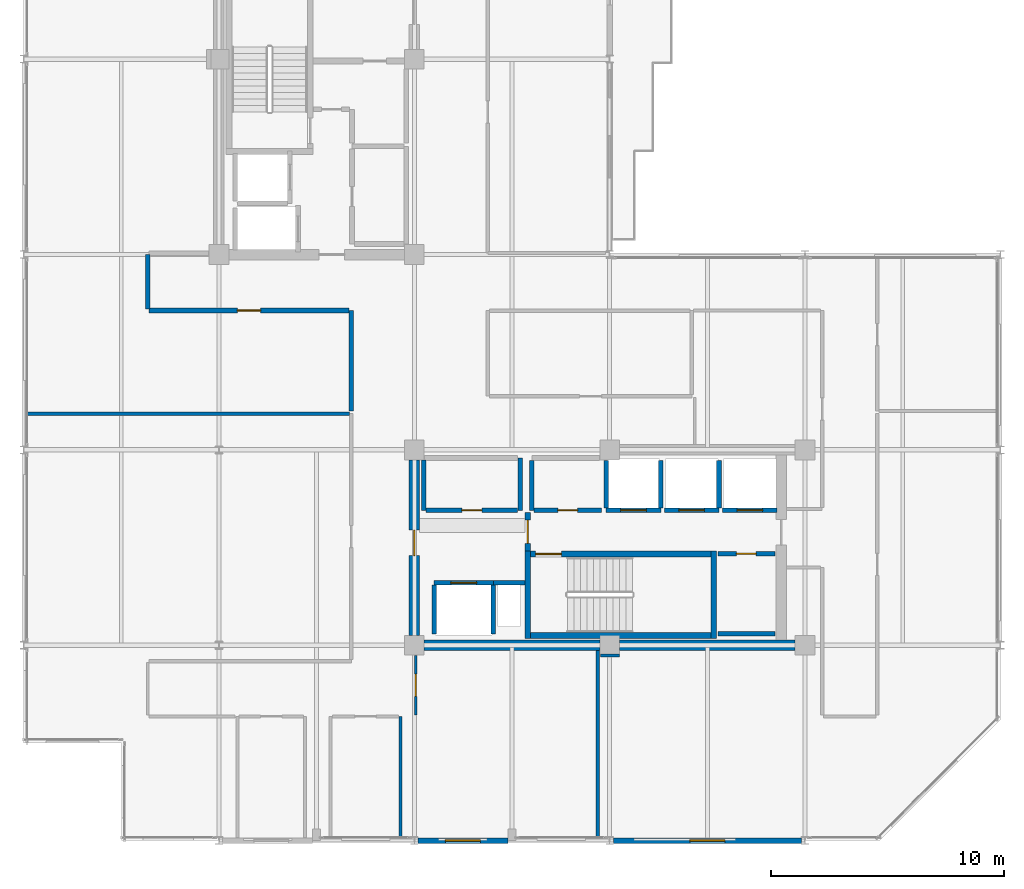
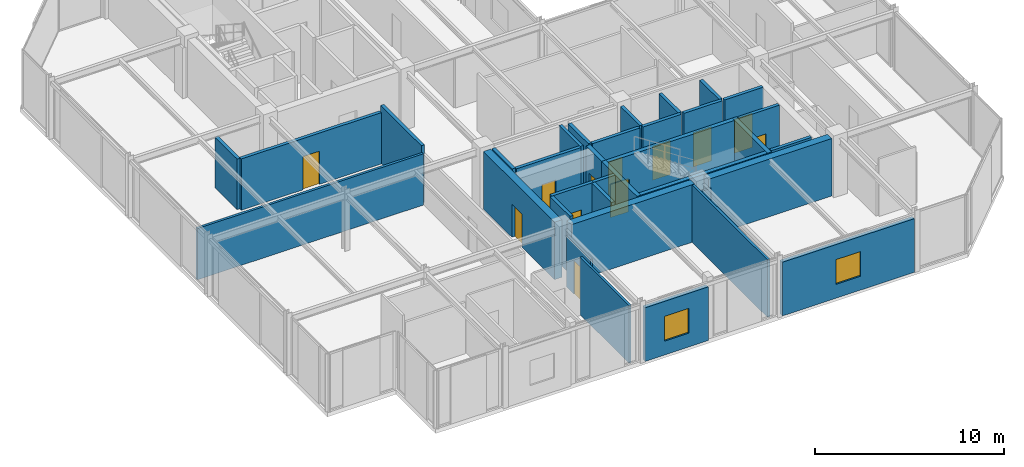
# One storey, part 21 of 26: 35 walls, 12 doors, 2 windows, 14 openings.
"""IFC4 building model written with IfcOpenShell, lengths in metres."""

from ifc_helpers import new_model, si_unit, direction, frame, frame_2d, origin, place, context, subcontext, project, spatial, rectangle, extrude, material, layer, layer_set, type_object, element, fill, save


model = new_model("IFC4")

# Units and contexts
model_context = context("Model", 3, precision=1e-05, world=origin(), true_north=direction((0.0, 1.0)))
body_context = subcontext(model_context, "Body", "Model", "MODEL_VIEW")
ifc_project = project(units=[si_unit("LENGTHUNIT", "METRE"), si_unit("AREAUNIT", "SQUARE_METRE"), si_unit("VOLUMEUNIT", "CUBIC_METRE"), si_unit("PLANEANGLEUNIT", "RADIAN"), si_unit("MASSUNIT", "GRAM", prefix="KILO")], contexts=[model_context])

# Site, building, storey
site_placement = place(None, origin())
site = spatial("IfcSite", under=ifc_project, at=site_placement, CompositionType="ELEMENT")
building_placement = place(site_placement, origin())
building = spatial("IfcBuilding", under=site, at=building_placement, Name="Nerrivon Quay Data Exchange", CompositionType="ELEMENT")
storey_placement = place(building_placement, frame((0.0, 0.0, 250.199951171875)))
storey = spatial("IfcBuildingStorey", under=building, at=storey_placement, Name="L59", CompositionType="ELEMENT", Elevation=250.199951171875)

# Wall, opening, window
ifc_material_1 = material(Name="Architectural terracotta precast concrete N50 (50 MPa)", Category="masonry")
ifc_layer_1 = layer(ifc_material_1, 0.239990234375)
ifc_layer_set_1 = layer_set([ifc_layer_1], Name="Architectural terracotta precast concrete N50 (50 MPa)")
wall_type_1 = type_object("IfcWallType", Name="EW-PREC-240", PredefinedType="STANDARD", material=ifc_layer_set_1)
wall_1_placement = place(storey_placement, frame((33.444580078125, 0.0, 0.0), z_axis=(0.0, 0.0, 1.0), x_axis=(-1.0, 0.0, 0.0)))
wall_1 = element("IfcWall", 1, at=wall_1_placement, inside=storey, type_object=wall_type_1, Name="L59 Podium Precast Spandrel Wall 3", PredefinedType="STANDARD", context=body_context, shape_type="SweptSolid", body=[
    extrude(rectangle(XDim=8.089111328125, YDim=0.239990234375, at=frame_2d((4.04443359375, 0.0))), origin(), (0.0, 0.0, 1.0), 3.47509765625),
])
opening_1_placement = place(wall_1_placement, frame((3.29443359375, 0.0, 0.89990234375)))
opening_1 = element("IfcOpeningElement", 2, at=opening_1_placement, cuts=wall_1, Name="Opening WN4", PredefinedType="OPENING", context=body_context, shape_type="SweptSolid", body=[
    extrude(rectangle(XDim=1.5, YDim=1.60009765625, at=frame_2d((0.75, 0.800048828125))), frame((0.0, 0.1298828125, 0.0), z_axis=(0.0, -1.0, 0.0), x_axis=(1.0, 0.0, 0.0)), (0.0, 0.0, 1.0), 0.260009765625),
])
ifc_material_2 = material(Name="Double-glazed low-E solar control glass", Category="glass")
window_type = type_object("IfcWindowType", Name="WIN-W4-1500x1600", PartitioningType="SINGLE_PANEL", PredefinedType="WINDOW", material=ifc_material_2)
window_1_placement = place(opening_1_placement, origin())
window_1 = element("IfcWindow", 3, at=window_1_placement, inside=storey, type_object=window_type, Name="L59 Solar Facade Window 3", OverallHeight=1.60009765625, OverallWidth=1.5, PartitioningType="SINGLE_PANEL", PredefinedType="WINDOW", context=body_context, shape_type="SweptSolid", body=[
    extrude(rectangle(XDim=1.5, YDim=1.60009765625, at=frame_2d((0.75, 0.800048828125))), frame((0.0, 0.030029296875, 0.0), z_axis=(0.0, -1.0, 0.0), x_axis=(1.0, 0.0, 0.0)), (0.0, 0.0, 1.0), 0.06005859375),
])
fill(opening_1, window_1)

wall_2_placement = place(storey_placement, frame((20.824951171875, 0.0, 0.0), z_axis=(0.0, 0.0, 1.0), x_axis=(-1.0, 0.0, 0.0)))
wall_2 = element("IfcWall", 4, at=wall_2_placement, inside=storey, type_object=wall_type_1, Name="L59 Podium Precast Spandrel Wall 5", PredefinedType="STANDARD", context=body_context, shape_type="SweptSolid", body=[
    extrude(rectangle(XDim=3.869384765625, YDim=0.239990234375, at=frame_2d((1.9345703125, 0.0))), origin(), (0.0, 0.0, 1.0), 3.47509765625),
])
opening_2_placement = place(wall_2_placement, frame((1.184814453125, 0.0, 0.89990234375)))
opening_2 = element("IfcOpeningElement", 5, at=opening_2_placement, cuts=wall_2, Name="Opening WN4", PredefinedType="OPENING", context=body_context, shape_type="SweptSolid", body=[
    extrude(rectangle(XDim=1.5, YDim=1.60009765625, at=frame_2d((0.75, 0.800048828125))), frame((0.0, 0.1298828125, 0.0), z_axis=(0.0, -1.0, 0.0), x_axis=(1.0, 0.0, 0.0)), (0.0, 0.0, 1.0), 0.260009765625),
])
window_2_placement = place(opening_2_placement, origin())
window_2 = element("IfcWindow", 6, at=window_2_placement, inside=storey, type_object=window_type, Name="L59 Solar Facade Window 5", OverallHeight=1.60009765625, OverallWidth=1.5, PartitioningType="SINGLE_PANEL", PredefinedType="WINDOW", context=body_context, shape_type="SweptSolid", body=[
    extrude(rectangle(XDim=1.5, YDim=1.60009765625, at=frame_2d((0.75, 0.800048828125))), frame((0.0, 0.030029296875, 0.0), z_axis=(0.0, -1.0, 0.0), x_axis=(1.0, 0.0, 0.0)), (0.0, 0.0, 1.0), 0.06005859375),
])
fill(opening_2, window_2)

# Walls
ifc_material_3 = material(Name="Concrete N50 (50 MPa)", Category="concrete")
ifc_layer_2 = layer(ifc_material_3, 0.449951171875)
ifc_layer_set_2 = layer_set([ifc_layer_2], Name="Concrete N50 (50 MPa)")
wall_type_2 = type_object("IfcWallType", Name="WALL-CW-550", PredefinedType="SHEAR", material=ifc_layer_set_2)
wall_3_placement = place(storey_placement, frame((17.22509765625, 8.39990234375, 0.0), z_axis=(0.0, 0.0, 1.0), x_axis=(1.0, 0.0, 0.0)))
element("IfcWall", 7, at=wall_3_placement, inside=storey, type_object=wall_type_2, Name="L59 East Split-Core Shear Wall ECW-S1", PredefinedType="SHEAR", context=body_context, shape_type="SweptSolid", body=[
    extrude(rectangle(XDim=7.5498046875, YDim=0.449951171875, at=frame_2d((3.77490234375, 0.0))), origin(), (0.0, 0.0, 1.0), 3.72509765625),
])
wall_4_placement = place(storey_placement, frame((25.625, 8.39990234375, 0.0), z_axis=(0.0, 0.0, 1.0), x_axis=(1.0, 0.0, 0.0)))
element("IfcWall", 8, at=wall_4_placement, inside=storey, type_object=wall_type_2, Name="L59 East Split-Core Shear Wall ECW-S2", PredefinedType="SHEAR", context=body_context, shape_type="SweptSolid", body=[
    extrude(rectangle(XDim=7.550048828125, YDim=0.449951171875, at=frame_2d((3.77490234375, 0.0))), origin(), (0.0, 0.0, 1.0), 3.72509765625),
])

# Wall, opening, door
wall_5_placement = place(storey_placement, frame((16.800048828125, 8.824951171875, 0.0), z_axis=(0.0, 0.0, 1.0), x_axis=(0.0, 1.0, 0.0)))
wall_5 = element("IfcWall", 9, at=wall_5_placement, inside=storey, type_object=wall_type_2, Name="L59 East Split-Core Shear Wall ECW-W1", PredefinedType="SHEAR", context=body_context, shape_type="SweptSolid", body=[
    extrude(rectangle(XDim=7.550048828125, YDim=0.449951171875, at=frame_2d((3.77490234375, 0.0))), origin(), (0.0, 0.0, 1.0), 3.72509765625),
])
opening_3_placement = place(wall_5_placement, frame((3.425048828125, 0.0, 0.0)))
opening_3 = element("IfcOpeningElement", 10, at=opening_3_placement, cuts=wall_5, Name="Opening FD-120", PredefinedType="OPENING", context=body_context, shape_type="SweptSolid", body=[
    extrude(rectangle(XDim=1.10009765625, YDim=2.14990234375, at=frame_2d((0.550048828125, 1.074951171875))), frame((0.0, 0.23486328125, 0.0), z_axis=(0.0, -1.0, 0.0), x_axis=(1.0, 0.0, 0.0)), (0.0, 0.0, 1.0), 0.469970703125),
])
ifc_material_4 = material(Name="Powder-coated galvanized steel sheet", Category="steel")
door_type_1 = type_object("IfcDoorType", Name="DR-FD120-1100", OperationType="NOTDEFINED", PredefinedType="DOOR", material=ifc_material_4)
door_1_placement = place(opening_3_placement, origin())
door_1 = element("IfcDoor", 11, at=door_1_placement, inside=storey, type_object=door_type_1, Name="L59 East Core Lobby Fire Door", OperationType="SINGLE_SWING_LEFT", OverallHeight=2.14990234375, OverallWidth=1.10009765625, PredefinedType="DOOR", context=body_context, shape_type="SweptSolid", body=[
    extrude(rectangle(XDim=1.10009765625, YDim=2.14990234375, at=frame_2d((0.550048828125, 1.074951171875))), frame((0.0, 0.02490234375, 0.0), z_axis=(0.0, -1.0, 0.0), x_axis=(1.0, 0.0, 0.0)), (0.0, 0.0, 1.0), 0.050048828125),
])
fill(opening_3, door_1)

# Wall
ifc_material_5 = material(Name="Gypsum plasterboard on cold-formed framing", Category="gypsum")
ifc_layer_3 = layer(ifc_material_5, 0.199951171875)
ifc_layer_set_3 = layer_set([ifc_layer_3], Name="Gypsum plasterboard on cold-formed framing")
wall_type_3 = type_object("IfcWallType", Name="WALL-FW-200", PredefinedType="PARTITIONING", material=ifc_layer_set_3)
wall_6_placement = place(storey_placement, frame((20.199951171875, 11.080078125, 0.0), z_axis=(0.0, 0.0, 1.0), x_axis=(1.0, 0.0, 0.0)))
element("IfcWall", 12, at=wall_6_placement, inside=storey, type_object=wall_type_3, Name="L59 East Core MEP Riser Shaft Wall N", PredefinedType="PARTITIONING", context=body_context, shape_type="SweptSolid", body=[
    extrude(rectangle(XDim=1.35009765625, YDim=0.199951171875, at=frame_2d((0.675048828125, 0.0))), origin(), (0.0, 0.0, 1.0), 3.72509765625),
])

# Wall, opening, door
wall_7_placement = place(storey_placement, frame((17.64990234375, 11.080078125, 0.0), z_axis=(0.0, 0.0, 1.0), x_axis=(1.0, 0.0, 0.0)))
wall_7 = element("IfcWall", 13, at=wall_7_placement, inside=storey, type_object=wall_type_3, Name="L59 Lift Front Wall FFL-2", PredefinedType="PARTITIONING", context=body_context, shape_type="SweptSolid", body=[
    extrude(rectangle(XDim=2.550048828125, YDim=0.199951171875, at=frame_2d((1.27490234375, 0.0))), origin(), (0.0, 0.0, 1.0), 3.72509765625),
])
opening_4_placement = place(wall_7_placement, frame((0.72509765625, 0.0, 0.0)))
opening_4 = element("IfcOpeningElement", 14, at=opening_4_placement, cuts=wall_7, Name="Opening LD-120", PredefinedType="OPENING", context=body_context, shape_type="SweptSolid", body=[
    extrude(rectangle(XDim=1.10009765625, YDim=2.199951171875, at=frame_2d((0.550048828125, 1.10009765625))), frame((0.0, 0.10986328125, 0.0), z_axis=(0.0, -1.0, 0.0), x_axis=(1.0, 0.0, 0.0)), (0.0, 0.0, 1.0), 0.219970703125),
])
door_type_2 = type_object("IfcDoorType", Name="DR-LIFT-LD120", OperationType="DOUBLE_DOOR_SLIDING", PredefinedType="DOOR", material=ifc_material_4)
door_2_placement = place(opening_4_placement, origin())
door_2 = element("IfcDoor", 15, at=door_2_placement, inside=storey, type_object=door_type_2, Name="L59 Lift Landing Sliding Door FFL-2", OperationType="DOUBLE_DOOR_SLIDING", OverallHeight=2.199951171875, OverallWidth=1.10009765625, PredefinedType="DOOR", context=body_context, shape_type="SweptSolid", body=[
    extrude(rectangle(XDim=1.10009765625, YDim=2.199951171875, at=frame_2d((0.550048828125, 1.10009765625))), frame((0.0, 0.02490234375, 0.0), z_axis=(0.0, -1.0, 0.0), x_axis=(1.0, 0.0, 0.0)), (0.0, 0.0, 1.0), 0.050048828125),
])
fill(opening_4, door_2)

# Walls
for number, where, z_axis, x_axis, name in (
    (16, (20.199951171875, 8.8798828125, 0.0), (0.0, 0.0, 1.0), (0.0, 1.0, 0.0), "L59 Lift Shaft Wall FFL-2 EAST"),
    (17, (17.64990234375, 8.8798828125, 0.0), (0.0, 0.0, 1.0), (0.0, 1.0, 0.0), "L59 Lift Shaft Wall FFL-2 WEST"),
):
    element("IfcWall", number, at=place(storey_placement, frame(where, z_axis=z_axis, x_axis=x_axis)), inside=storey, type_object=wall_type_3, Name=name, PredefinedType="PARTITIONING", context=body_context, shape_type="SweptSolid", body=[
        extrude(rectangle(XDim=2.10009765625, YDim=0.199951171875, at=frame_2d((1.050048828125, 0.0))), origin(), (0.0, 0.0, 1.0), 3.72509765625),
    ])

# Wall, opening, door
wall_8_placement = place(storey_placement, frame((25.050048828125, 14.199951171875, 0.0), z_axis=(0.0, 0.0, 1.0), x_axis=(1.0, 0.0, 0.0)))
wall_8 = element("IfcWall", 18, at=wall_8_placement, inside=storey, type_object=wall_type_3, Name="L59 Lift Front Wall PL7", PredefinedType="PARTITIONING", context=body_context, shape_type="SweptSolid", body=[
    extrude(rectangle(XDim=2.349853515625, YDim=0.199951171875, at=frame_2d((1.1748046875, 0.0))), origin(), (0.0, 0.0, 1.0), 3.72509765625),
])
opening_5_placement = place(wall_8_placement, frame((0.625, 0.0, 0.0)))
opening_5 = element("IfcOpeningElement", 19, at=opening_5_placement, cuts=wall_8, Name="Opening LD-120", PredefinedType="OPENING", context=body_context, shape_type="SweptSolid", body=[
    extrude(rectangle(XDim=1.10009765625, YDim=2.199951171875, at=frame_2d((0.550048828125, 1.10009765625))), frame((0.0, 0.10986328125, 0.0), z_axis=(0.0, -1.0, 0.0), x_axis=(1.0, 0.0, 0.0)), (0.0, 0.0, 1.0), 0.219970703125),
])
door_3_placement = place(opening_5_placement, origin())
door_3 = element("IfcDoor", 20, at=door_3_placement, inside=storey, type_object=door_type_2, Name="L59 Lift Landing Sliding Door PL7", OperationType="DOUBLE_DOOR_SLIDING", OverallHeight=2.199951171875, OverallWidth=1.10009765625, PredefinedType="DOOR", context=body_context, shape_type="SweptSolid", body=[
    extrude(rectangle(XDim=1.10009765625, YDim=2.199951171875, at=frame_2d((0.550048828125, 1.10009765625))), frame((0.0, 0.02490234375, 0.0), z_axis=(0.0, -1.0, 0.0), x_axis=(1.0, 0.0, 0.0)), (0.0, 0.0, 1.0), 0.050048828125),
])
fill(opening_5, door_3)

# Walls
for number, where, z_axis, x_axis, name in (
    (21, (27.39990234375, 14.300048828125, 0.0), (0.0, 0.0, 1.0), (0.0, 1.0, 0.0), "L59 Lift Shaft Wall PL7 EAST"),
    (22, (25.050048828125, 14.300048828125, 0.0), (0.0, 0.0, 1.0), (0.0, 1.0, 0.0), "L59 Lift Shaft Wall PL7 WEST"),
):
    element("IfcWall", number, at=place(storey_placement, frame(where, z_axis=z_axis, x_axis=x_axis)), inside=storey, type_object=wall_type_3, Name=name, PredefinedType="PARTITIONING", context=body_context, shape_type="SweptSolid", body=[
        extrude(rectangle(XDim=2.050048828125, YDim=0.199951171875, at=frame_2d((1.02490234375, 0.0))), origin(), (0.0, 0.0, 1.0), 3.72509765625),
    ])

# Wall, opening, door
wall_9_placement = place(storey_placement, frame((27.550048828125, 14.199951171875, 0.0), z_axis=(0.0, 0.0, 1.0), x_axis=(1.0, 0.0, 0.0)))
wall_9 = element("IfcWall", 23, at=wall_9_placement, inside=storey, type_object=wall_type_3, Name="L59 Lift Front Wall PL8", PredefinedType="PARTITIONING", context=body_context, shape_type="SweptSolid", body=[
    extrude(rectangle(XDim=2.349853515625, YDim=0.199951171875, at=frame_2d((1.1748046875, 0.0))), origin(), (0.0, 0.0, 1.0), 3.72509765625),
])
opening_6_placement = place(wall_9_placement, frame((0.625, 0.0, 0.0)))
opening_6 = element("IfcOpeningElement", 24, at=opening_6_placement, cuts=wall_9, Name="Opening LD-120", PredefinedType="OPENING", context=body_context, shape_type="SweptSolid", body=[
    extrude(rectangle(XDim=1.10009765625, YDim=2.199951171875, at=frame_2d((0.550048828125, 1.10009765625))), frame((0.0, 0.10986328125, 0.0), z_axis=(0.0, -1.0, 0.0), x_axis=(1.0, 0.0, 0.0)), (0.0, 0.0, 1.0), 0.219970703125),
])
door_4_placement = place(opening_6_placement, origin())
door_4 = element("IfcDoor", 25, at=door_4_placement, inside=storey, type_object=door_type_2, Name="L59 Lift Landing Sliding Door PL8", OperationType="DOUBLE_DOOR_SLIDING", OverallHeight=2.199951171875, OverallWidth=1.10009765625, PredefinedType="DOOR", context=body_context, shape_type="SweptSolid", body=[
    extrude(rectangle(XDim=1.10009765625, YDim=2.199951171875, at=frame_2d((0.550048828125, 1.10009765625))), frame((0.0, 0.02490234375, 0.0), z_axis=(0.0, -1.0, 0.0), x_axis=(1.0, 0.0, 0.0)), (0.0, 0.0, 1.0), 0.050048828125),
])
fill(opening_6, door_4)

# Wall
wall_10_placement = place(storey_placement, frame((29.89990234375, 14.300048828125, 0.0), z_axis=(0.0, 0.0, 1.0), x_axis=(0.0, 1.0, 0.0)))
element("IfcWall", 26, at=wall_10_placement, inside=storey, type_object=wall_type_3, Name="L59 Lift Shaft Wall PL8 EAST", PredefinedType="PARTITIONING", context=body_context, shape_type="SweptSolid", body=[
    extrude(rectangle(XDim=2.050048828125, YDim=0.199951171875, at=frame_2d((1.02490234375, 0.0))), origin(), (0.0, 0.0, 1.0), 3.72509765625),
])

# Wall, opening, door
wall_11_placement = place(storey_placement, frame((30.050048828125, 14.199951171875, 0.0), z_axis=(0.0, 0.0, 1.0), x_axis=(1.0, 0.0, 0.0)))
wall_11 = element("IfcWall", 27, at=wall_11_placement, inside=storey, type_object=wall_type_3, Name="L59 Lift Front Wall PL9", PredefinedType="PARTITIONING", context=body_context, shape_type="SweptSolid", body=[
    extrude(rectangle(XDim=2.349853515625, YDim=0.199951171875, at=frame_2d((1.1748046875, 0.0))), origin(), (0.0, 0.0, 1.0), 3.72509765625),
])
opening_7_placement = place(wall_11_placement, frame((0.625, 0.0, 0.0)))
opening_7 = element("IfcOpeningElement", 28, at=opening_7_placement, cuts=wall_11, Name="Opening LD-120", PredefinedType="OPENING", context=body_context, shape_type="SweptSolid", body=[
    extrude(rectangle(XDim=1.10009765625, YDim=2.199951171875, at=frame_2d((0.550048828125, 1.10009765625))), frame((0.0, 0.10986328125, 0.0), z_axis=(0.0, -1.0, 0.0), x_axis=(1.0, 0.0, 0.0)), (0.0, 0.0, 1.0), 0.219970703125),
])
door_5_placement = place(opening_7_placement, origin())
door_5 = element("IfcDoor", 29, at=door_5_placement, inside=storey, type_object=door_type_2, Name="L59 Lift Landing Sliding Door PL9", OperationType="DOUBLE_DOOR_SLIDING", OverallHeight=2.199951171875, OverallWidth=1.10009765625, PredefinedType="DOOR", context=body_context, shape_type="SweptSolid", body=[
    extrude(rectangle(XDim=1.10009765625, YDim=2.199951171875, at=frame_2d((0.550048828125, 1.10009765625))), frame((0.0, 0.02490234375, 0.0), z_axis=(0.0, -1.0, 0.0), x_axis=(1.0, 0.0, 0.0)), (0.0, 0.0, 1.0), 0.050048828125),
])
fill(opening_7, door_5)

# Walls
wall_12_placement = place(storey_placement, frame((21.35009765625, 14.199951171875, 0.0), z_axis=(0.0, 0.0, 1.0), x_axis=(0.0, 1.0, 0.0)))
element("IfcWall", 30, at=wall_12_placement, inside=storey, type_object=wall_type_3, Name="L59 Partition High-Zone Optical Closet", PredefinedType="PARTITIONING", context=body_context, shape_type="SweptSolid", body=[
    extrude(rectangle(XDim=2.25, YDim=0.199951171875, at=frame_2d((1.125, 0.0))), origin(), (0.0, 0.0, 1.0), 3.72509765625),
])
wall_13_placement = place(storey_placement, frame((17.199951171875, 16.3701171875, 0.0), z_axis=(0.0, 0.0, 1.0), x_axis=(0.0, -1.0, 0.0)))
element("IfcWall", 31, at=wall_13_placement, inside=storey, type_object=wall_type_3, Name="L59 Partition High-Zone Optical Closet", PredefinedType="PARTITIONING", context=body_context, shape_type="SweptSolid", body=[
    extrude(rectangle(XDim=2.170166015625, YDim=0.199951171875, at=frame_2d((1.0849609375, 0.0))), origin(), (0.0, 0.0, 1.0), 3.72509765625),
])

# Wall, opening, door
wall_14_placement = place(storey_placement, frame((17.303955078125, 14.199951171875, 0.0), z_axis=(0.0, 0.0, 1.0), x_axis=(1.0, 0.0, 0.0)))
wall_14 = element("IfcWall", 32, at=wall_14_placement, inside=storey, type_object=wall_type_3, Name="L59 Partition High-Zone Optical Closet", PredefinedType="PARTITIONING", context=body_context, shape_type="SweptSolid", body=[
    extrude(rectangle(XDim=3.942138671875, YDim=0.199951171875, at=frame_2d((1.97119140625, 0.0))), origin(), (0.0, 0.0, 1.0), 3.72509765625),
])
opening_8_placement = place(wall_14_placement, frame((1.5458984375, 0.0, 0.0)))
opening_8 = element("IfcOpeningElement", 33, at=opening_8_placement, cuts=wall_14, Name="Opening FD-60S", PredefinedType="OPENING", context=body_context, shape_type="SweptSolid", body=[
    extrude(rectangle(XDim=0.85009765625, YDim=2.14990234375, at=frame_2d((0.425048828125, 1.074951171875))), frame((0.0, 0.10986328125, 0.0), z_axis=(0.0, -1.0, 0.0), x_axis=(1.0, 0.0, 0.0)), (0.0, 0.0, 1.0), 0.219970703125),
])
ifc_material_6 = material(Name="Engineered hardwood timber", Category="wood")
door_type_3 = type_object("IfcDoorType", Name="DR-FD60-850", OperationType="NOTDEFINED", PredefinedType="DOOR", material=ifc_material_6)
door_6_placement = place(opening_8_placement, origin())
door_6 = element("IfcDoor", 34, at=door_6_placement, inside=storey, type_object=door_type_3, Name="L59 Door High-Zone Optical Closet", OperationType="SINGLE_SWING_RIGHT", OverallHeight=2.14990234375, OverallWidth=0.85009765625, PredefinedType="DOOR", context=body_context, shape_type="SweptSolid", body=[
    extrude(rectangle(XDim=0.85009765625, YDim=2.14990234375, at=frame_2d((0.425048828125, 1.074951171875))), frame((0.0, 0.02490234375, 0.0), z_axis=(0.0, -1.0, 0.0), x_axis=(1.0, 0.0, 0.0)), (0.0, 0.0, 1.0), 0.050048828125),
])
fill(opening_8, door_6)

# Wall
wall_15_placement = place(storey_placement, frame((21.85009765625, 16.345947265625, 0.0), z_axis=(0.0, 0.0, 1.0), x_axis=(0.0, -1.0, 0.0)))
element("IfcWall", 35, at=wall_15_placement, inside=storey, type_object=wall_type_3, Name="L59 Partition High-Zone Supply Store", PredefinedType="PARTITIONING", context=body_context, shape_type="SweptSolid", body=[
    extrude(rectangle(XDim=2.14599609375, YDim=0.199951171875, at=frame_2d((1.072998046875, 0.0))), origin(), (0.0, 0.0, 1.0), 3.72509765625),
])

# Wall, opening, door
wall_16_placement = place(storey_placement, frame((21.9541015625, 14.199951171875, 0.0), z_axis=(0.0, 0.0, 1.0), x_axis=(1.0, 0.0, 0.0)))
wall_16 = element("IfcWall", 36, at=wall_16_placement, inside=storey, type_object=wall_type_3, Name="L59 Partition High-Zone Supply Store", PredefinedType="PARTITIONING", context=body_context, shape_type="SweptSolid", body=[
    extrude(rectangle(XDim=2.89599609375, YDim=0.199951171875, at=frame_2d((1.447998046875, 0.0))), origin(), (0.0, 0.0, 1.0), 3.72509765625),
])
opening_9_placement = place(wall_16_placement, frame((1.02294921875, 0.0, 0.0)))
opening_9 = element("IfcOpeningElement", 37, at=opening_9_placement, cuts=wall_16, Name="Opening FD-60S", PredefinedType="OPENING", context=body_context, shape_type="SweptSolid", body=[
    extrude(rectangle(XDim=0.85009765625, YDim=2.14990234375, at=frame_2d((0.425048828125, 1.074951171875))), frame((0.0, 0.10986328125, 0.0), z_axis=(0.0, -1.0, 0.0), x_axis=(1.0, 0.0, 0.0)), (0.0, 0.0, 1.0), 0.219970703125),
])
door_7_placement = place(opening_9_placement, origin())
door_7 = element("IfcDoor", 38, at=door_7_placement, inside=storey, type_object=door_type_3, Name="L59 Door High-Zone Supply Store", OperationType="SINGLE_SWING_LEFT", OverallHeight=2.14990234375, OverallWidth=0.85009765625, PredefinedType="DOOR", context=body_context, shape_type="SweptSolid", body=[
    extrude(rectangle(XDim=0.85009765625, YDim=2.14990234375, at=frame_2d((0.425048828125, 1.074951171875))), frame((0.0, 0.02490234375, 0.0), z_axis=(0.0, -1.0, 0.0), x_axis=(1.0, 0.0, 0.0)), (0.0, 0.0, 1.0), 0.050048828125),
])
fill(opening_9, door_7)

wall_17_placement = place(storey_placement, frame((32.300048828125, 12.330078125, 0.0), z_axis=(0.0, 0.0, 1.0), x_axis=(-1.0, 0.0, 0.0)))
wall_17 = element("IfcWall", 39, at=wall_17_placement, inside=storey, type_object=wall_type_3, Name="L59 Partition East Supply Store", PredefinedType="PARTITIONING", context=body_context, shape_type="SweptSolid", body=[
    extrude(rectangle(XDim=2.449951171875, YDim=0.199951171875, at=frame_2d((1.22509765625, 0.0))), origin(), (0.0, 0.0, 1.0), 3.72509765625),
])
opening_10_placement = place(wall_17_placement, frame((0.800048828125, 0.0, 0.0)))
opening_10 = element("IfcOpeningElement", 40, at=opening_10_placement, cuts=wall_17, Name="Opening FD-60S", PredefinedType="OPENING", context=body_context, shape_type="SweptSolid", body=[
    extrude(rectangle(XDim=0.85009765625, YDim=2.14990234375, at=frame_2d((0.425048828125, 1.074951171875))), frame((0.0, 0.10986328125, 0.0), z_axis=(0.0, -1.0, 0.0), x_axis=(1.0, 0.0, 0.0)), (0.0, 0.0, 1.0), 0.219970703125),
])
door_8_placement = place(opening_10_placement, origin())
door_8 = element("IfcDoor", 41, at=door_8_placement, inside=storey, type_object=door_type_3, Name="L59 Door East Supply Store", OperationType="SINGLE_SWING_RIGHT", OverallHeight=2.14990234375, OverallWidth=0.85009765625, PredefinedType="DOOR", context=body_context, shape_type="SweptSolid", body=[
    extrude(rectangle(XDim=0.85009765625, YDim=2.14990234375, at=frame_2d((0.425048828125, 1.074951171875))), frame((0.0, 0.02490234375, 0.0), z_axis=(0.0, -1.0, 0.0), x_axis=(1.0, 0.0, 0.0)), (0.0, 0.0, 1.0), 0.050048828125),
])
fill(opening_10, door_8)

# Walls
wall_18_placement = place(storey_placement, frame((29.85009765625, 8.89990234375, 0.0), z_axis=(0.0, 0.0, 1.0), x_axis=(1.0, 0.0, 0.0)))
element("IfcWall", 42, at=wall_18_placement, inside=storey, type_object=wall_type_3, Name="L59 Partition East Supply Store", PredefinedType="PARTITIONING", context=body_context, shape_type="SweptSolid", body=[
    extrude(rectangle(XDim=2.449951171875, YDim=0.199951171875, at=frame_2d((1.22509765625, 0.0))), origin(), (0.0, 0.0, 1.0), 3.72509765625),
])
wall_19_placement = place(storey_placement, frame((14.090087890625, 18.474853515625, 0.0), z_axis=(0.0, 0.0, 1.0), x_axis=(0.0, 1.0, 0.0)))
element("IfcWall", 43, at=wall_19_placement, inside=storey, type_object=wall_type_3, Name="L59 Partition Colocation Data Workspace 1", PredefinedType="PARTITIONING", context=body_context, shape_type="SweptSolid", body=[
    extrude(rectangle(XDim=4.315185546875, YDim=0.199951171875, at=frame_2d((2.15771484375, 0.0))), origin(), (0.0, 0.0, 1.0), 3.72509765625),
])

# Wall, opening, door
wall_20_placement = place(storey_placement, frame((13.986083984375, 22.7900390625, 0.0), z_axis=(0.0, 0.0, 1.0), x_axis=(-1.0, 0.0, 0.0)))
wall_20 = element("IfcWall", 44, at=wall_20_placement, inside=storey, type_object=wall_type_3, Name="L59 Partition Colocation Data Workspace 1", PredefinedType="PARTITIONING", context=body_context, shape_type="SweptSolid", body=[
    extrude(rectangle(XDim=8.586181640625, YDim=0.199951171875, at=frame_2d((4.29296875, 0.0))), origin(), (0.0, 0.0, 1.0), 3.319091796875),
])
opening_11_placement = place(wall_20_placement, frame((3.79296875, 0.0, 0.0)))
opening_11 = element("IfcOpeningElement", 45, at=opening_11_placement, cuts=wall_20, Name="Opening FD-60", PredefinedType="OPENING", context=body_context, shape_type="SweptSolid", body=[
    extrude(rectangle(XDim=1.0, YDim=2.14990234375, at=frame_2d((0.5, 1.074951171875))), frame((0.0, 0.10986328125, 0.0), z_axis=(0.0, -1.0, 0.0), x_axis=(1.0, 0.0, 0.0)), (0.0, 0.0, 1.0), 0.219970703125),
])
door_type_4 = type_object("IfcDoorType", Name="DR-FD60-1000", OperationType="NOTDEFINED", PredefinedType="DOOR", material=ifc_material_6)
door_9_placement = place(opening_11_placement, origin())
door_9 = element("IfcDoor", 46, at=door_9_placement, inside=storey, type_object=door_type_4, Name="L59 Door Colocation Data Workspace 1", OperationType="SINGLE_SWING_RIGHT", OverallHeight=2.14990234375, OverallWidth=1.0, PredefinedType="DOOR", context=body_context, shape_type="SweptSolid", body=[
    extrude(rectangle(XDim=1.0, YDim=2.14990234375, at=frame_2d((0.5, 1.074951171875))), frame((0.0, 0.02490234375, 0.0), z_axis=(0.0, -1.0, 0.0), x_axis=(1.0, 0.0, 0.0)), (0.0, 0.0, 1.0), 0.050048828125),
])
fill(opening_11, door_9)

# Wall
wall_21_placement = place(storey_placement, frame((5.340087890625, 22.85009765625, 0.0), z_axis=(0.0, 0.0, 1.0), x_axis=(0.0, 1.0, 0.0)))
element("IfcWall", 47, at=wall_21_placement, inside=storey, type_object=wall_type_3, Name="L59 Partition Colocation Data Workspace 1", PredefinedType="PARTITIONING", context=body_context, shape_type="SweptSolid", body=[
    extrude(rectangle(XDim=2.349853515625, YDim=0.199951171875, at=frame_2d((1.1748046875, 0.0))), origin(), (0.0, 0.0, 1.0), 3.27099609375),
])

# Wall, opening, door
ifc_layer_4 = layer(ifc_material_5, 0.1201171875)
ifc_layer_set_4 = layer_set([ifc_layer_4], Name="Gypsum plasterboard on cold-formed framing")
wall_type_4 = type_object("IfcWallType", Name="WALL-PT-120", PredefinedType="PARTITIONING", material=ifc_layer_set_4)
wall_22_placement = place(storey_placement, frame((16.860107421875, 7.955078125, 0.0), z_axis=(0.0, 0.0, 1.0), x_axis=(0.0, -1.0, 0.0)))
wall_22 = element("IfcWall", 48, at=wall_22_placement, inside=storey, type_object=wall_type_4, Name="L59 Partition Staff Tea Pantry", PredefinedType="PARTITIONING", context=body_context, shape_type="SweptSolid", body=[
    extrude(rectangle(XDim=2.55517578125, YDim=0.1201171875, at=frame_2d((1.277587890625, 0.0))), origin(), (0.0, 0.0, 1.0), 3.319091796875),
])
opening_12_placement = place(wall_22_placement, frame((0.802490234375, 0.0, 0.0)))
opening_12 = element("IfcOpeningElement", 49, at=opening_12_placement, cuts=wall_22, Name="Opening D-01", PredefinedType="OPENING", context=body_context, shape_type="SweptSolid", body=[
    extrude(rectangle(XDim=0.949951171875, YDim=2.14990234375, at=frame_2d((0.47509765625, 1.074951171875))), frame((0.0, 0.070068359375, 0.0), z_axis=(0.0, -1.0, 0.0), x_axis=(1.0, 0.0, 0.0)), (0.0, 0.0, 1.0), 0.14013671875),
])
door_type_5 = type_object("IfcDoorType", Name="DR-INT-950", OperationType="NOTDEFINED", PredefinedType="DOOR", material=ifc_material_6)
door_10_placement = place(opening_12_placement, origin())
door_10 = element("IfcDoor", 50, at=door_10_placement, inside=storey, type_object=door_type_5, Name="L59 Door Staff Tea Pantry", OperationType="SINGLE_SWING_LEFT", OverallHeight=2.14990234375, OverallWidth=0.949951171875, PredefinedType="DOOR", context=body_context, shape_type="SweptSolid", body=[
    extrude(rectangle(XDim=0.949951171875, YDim=2.14990234375, at=frame_2d((0.47509765625, 1.074951171875))), frame((0.0, 0.02490234375, 0.0), z_axis=(0.0, -1.0, 0.0), x_axis=(1.0, 0.0, 0.0)), (0.0, 0.0, 1.0), 0.050048828125),
])
fill(opening_12, door_10)

# Walls
wall_23_placement = place(storey_placement, frame((25.630859375, 7.955810546875, 0.0), z_axis=(0.0, 0.0, 1.0), x_axis=(-0.999999606339, -0.000887311097, 0.0)))
element("IfcWall", 51, at=wall_23_placement, inside=storey, type_object=wall_type_4, Name="L59 Partition Peering Day Lounge", PredefinedType="PARTITIONING", context=body_context, shape_type="SweptSolid", body=[
    extrude(rectangle(XDim=0.825439453125, YDim=0.1201171875, at=frame_2d((0.41259765625, 0.0))), origin(), (0.0, 0.0, 1.0), 3.319091796875),
])
ifc_layer_5 = layer(ifc_material_5, 0.135009765625)
ifc_layer_set_5 = layer_set([ifc_layer_5], Name="Gypsum plasterboard on cold-formed framing")
wall_type_5 = type_object("IfcWallType", Name="WALL-PT-135", PredefinedType="PARTITIONING", material=ifc_layer_set_5)
wall_24_placement = place(storey_placement, frame((16.199951171875, 0.1689453125, 0.0), z_axis=(0.0, 0.0, 1.0), x_axis=(0.0, 1.0, 0.0)))
element("IfcWall", 52, at=wall_24_placement, inside=storey, type_object=wall_type_5, Name="L59 Partition Accessible Toilet", PredefinedType="PARTITIONING", context=body_context, shape_type="SweptSolid", body=[
    extrude(rectangle(XDim=5.171142578125, YDim=0.135009765625, at=frame_2d((2.58544921875, 0.0))), origin(), (0.0, 0.0, 1.0), 3.72509765625),
])
ifc_layer_6 = layer(ifc_material_5, 0.14990234375)
ifc_layer_set_6 = layer_set([ifc_layer_6], Name="Gypsum plasterboard on cold-formed framing")
wall_type_6 = type_object("IfcWallType", Name="WALL-PT-150", PredefinedType="PARTITIONING", material=ifc_layer_set_6)
wall_25_placement = place(storey_placement, frame((24.685546875, 0.1689453125, 0.0), z_axis=(0.0, 0.0, 1.0), x_axis=(0.0, 1.0, 0.0)))
element("IfcWall", 53, at=wall_25_placement, inside=storey, type_object=wall_type_6, Name="L59 Partition Staff Tea Pantry", PredefinedType="PARTITIONING", context=body_context, shape_type="SweptSolid", body=[
    extrude(rectangle(XDim=8.001953125, YDim=0.14990234375, at=frame_2d((4.0009765625, 0.0))), origin(), (0.0, 0.0, 1.0), 3.72509765625),
])
wall_26_placement = place(storey_placement, frame((14.010986328125, 18.354736328125, 0.0), z_axis=(0.0, 0.0, 1.0), x_axis=(-1.0, 0.0, 0.0)))
element("IfcWall", 54, at=wall_26_placement, inside=storey, type_object=wall_type_6, Name="L59 Partition Technical Library", PredefinedType="PARTITIONING", context=body_context, shape_type="SweptSolid", body=[
    extrude(rectangle(XDim=13.842041015625, YDim=0.14990234375, at=frame_2d((6.9208984375, 0.0))), origin(), (0.0, 0.0, 1.0), 3.319091796875),
])
ifc_layer_7 = layer(ifc_material_3, 0.25)
ifc_layer_set_7 = layer_set([ifc_layer_7], Name="Concrete N50 (50 MPa)")
wall_type_7 = type_object("IfcWallType", Name="WALL-SW-250", PredefinedType="SHEAR", material=ifc_layer_set_7)
for number, where, z_axis, x_axis, name in (
    (55, (21.675048828125, 8.699951171875, 0.0), (0.0, 0.0, 1.0), (0.0, 1.0, 0.0), "L59 ST02 Structural Stair Core Wall NEAR"),
    (56, (29.675048828125, 8.699951171875, 0.0), (0.0, 0.0, 1.0), (0.0, 1.0, 0.0), "L59 ST02 Structural Stair Core Wall FAR"),
):
    element("IfcWall", number, at=place(storey_placement, frame(where, z_axis=z_axis, x_axis=x_axis)), inside=storey, type_object=wall_type_7, Name=name, PredefinedType="SHEAR", context=body_context, shape_type="SweptSolid", body=[
        extrude(rectangle(XDim=3.75, YDim=0.25, at=frame_2d((1.875, 0.0))), origin(), (0.0, 0.0, 1.0), 3.72509765625),
    ])
wall_27_placement = place(storey_placement, frame((21.800048828125, 8.824951171875, 0.0), z_axis=(0.0, 0.0, 1.0), x_axis=(1.0, 0.0, 0.0)))
element("IfcWall", 57, at=wall_27_placement, inside=storey, type_object=wall_type_7, Name="L59 ST02 Structural Stair Core Wall LEFT", PredefinedType="SHEAR", context=body_context, shape_type="SweptSolid", body=[
    extrude(rectangle(XDim=7.75, YDim=0.25, at=frame_2d((3.875, 0.0))), origin(), (0.0, 0.0, 1.0), 3.72509765625),
])

# Wall, opening, door
wall_28_placement = place(storey_placement, frame((21.800048828125, 12.324951171875, 0.0), z_axis=(0.0, 0.0, 1.0), x_axis=(1.0, 0.0, 0.0)))
wall_28 = element("IfcWall", 58, at=wall_28_placement, inside=storey, type_object=wall_type_7, Name="L59 ST02 Structural Stair Core Wall RIGHT", PredefinedType="SHEAR", context=body_context, shape_type="SweptSolid", body=[
    extrude(rectangle(XDim=7.75, YDim=0.25, at=frame_2d((3.875, 0.0))), origin(), (0.0, 0.0, 1.0), 3.72509765625),
])
opening_13_placement = place(wall_28_placement, frame((0.219970703125, 0.0, 0.0)))
opening_13 = element("IfcOpeningElement", 59, at=opening_13_placement, cuts=wall_28, Name="Opening FD-120", PredefinedType="OPENING", context=body_context, shape_type="SweptSolid", body=[
    extrude(rectangle(XDim=1.10009765625, YDim=2.14990234375, at=frame_2d((0.550048828125, 1.074951171875))), frame((0.0, 0.135009765625, 0.0), z_axis=(0.0, -1.0, 0.0), x_axis=(1.0, 0.0, 0.0)), (0.0, 0.0, 1.0), 0.27001953125),
])
door_11_placement = place(opening_13_placement, origin())
door_11 = element("IfcDoor", 60, at=door_11_placement, inside=storey, type_object=door_type_1, Name="L59 Protected Stair Door ST02", OperationType="SINGLE_SWING_LEFT", OverallHeight=2.14990234375, OverallWidth=1.10009765625, PredefinedType="DOOR", context=body_context, shape_type="SweptSolid", body=[
    extrude(rectangle(XDim=1.10009765625, YDim=2.14990234375, at=frame_2d((0.550048828125, 1.074951171875))), frame((0.0, 0.02490234375, 0.0), z_axis=(0.0, -1.0, 0.0), x_axis=(1.0, 0.0, 0.0)), (0.0, 0.0, 1.0), 0.050048828125),
])
fill(opening_13, door_11)

wall_29_placement = place(storey_placement, frame((21.679931640625, 12.449951171875, 0.0), z_axis=(0.0, 0.0, 1.0), x_axis=(0.0, 1.0, 0.0)))
wall_29 = element("IfcWall", 61, at=wall_29_placement, inside=storey, type_object=wall_type_7, Name="L59 East Firefighting Lobby Wall", PredefinedType="SHEAR", context=body_context, shape_type="SweptSolid", body=[
    extrude(rectangle(XDim=1.650146484375, YDim=0.25, at=frame_2d((0.8251953125, 0.0))), origin(), (0.0, 0.0, 1.0), 3.72509765625),
])
opening_14_placement = place(wall_29_placement, frame((0.324951171875, 0.0, 0.0)))
opening_14 = element("IfcOpeningElement", 62, at=opening_14_placement, cuts=wall_29, Name="Opening FD-60", PredefinedType="OPENING", context=body_context, shape_type="SweptSolid", body=[
    extrude(rectangle(XDim=1.0, YDim=2.14990234375, at=frame_2d((0.5, 1.074951171875))), frame((0.0, 0.135009765625, 0.0), z_axis=(0.0, -1.0, 0.0), x_axis=(1.0, 0.0, 0.0)), (0.0, 0.0, 1.0), 0.27001953125),
])
door_12_placement = place(opening_14_placement, origin())
door_12 = element("IfcDoor", 63, at=door_12_placement, inside=storey, type_object=door_type_4, Name="L59 East Firefighting Lobby Fire Door", OperationType="SINGLE_SWING_LEFT", OverallHeight=2.14990234375, OverallWidth=1.0, PredefinedType="DOOR", context=body_context, shape_type="SweptSolid", body=[
    extrude(rectangle(XDim=1.0, YDim=2.14990234375, at=frame_2d((0.5, 1.074951171875))), frame((0.0, 0.02490234375, 0.0), z_axis=(0.0, -1.0, 0.0), x_axis=(1.0, 0.0, 0.0)), (0.0, 0.0, 1.0), 0.050048828125),
])
fill(opening_14, door_12)

save(model, "model.ifc")
